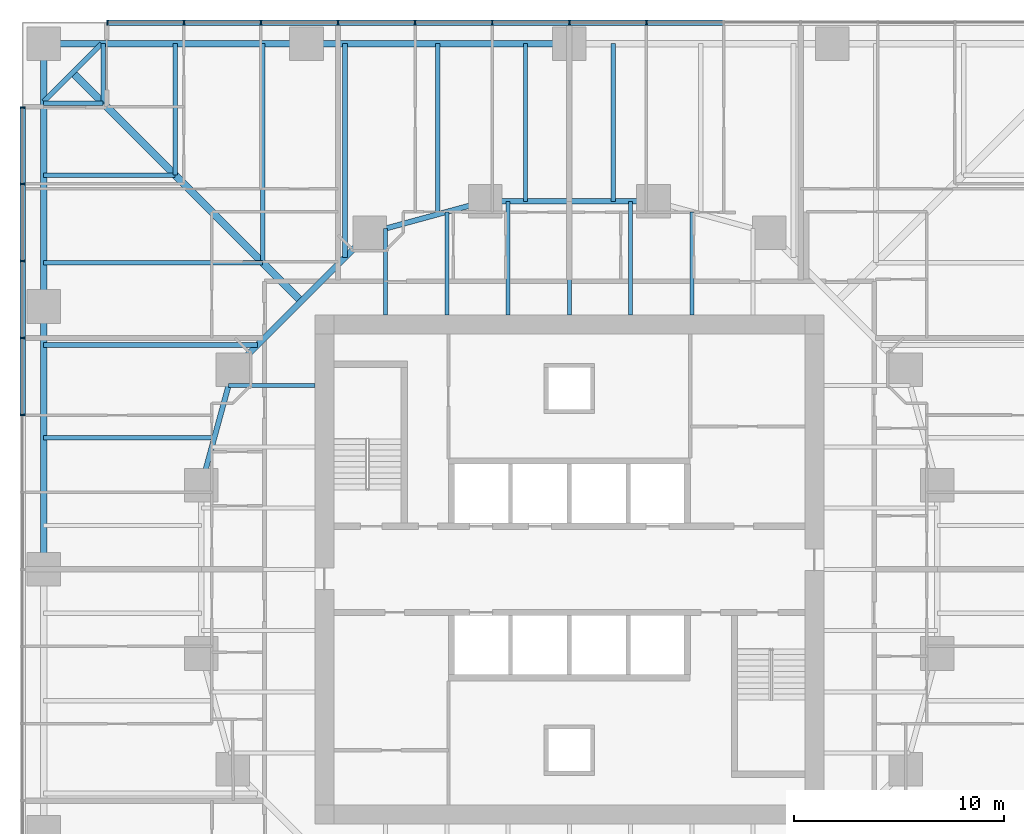
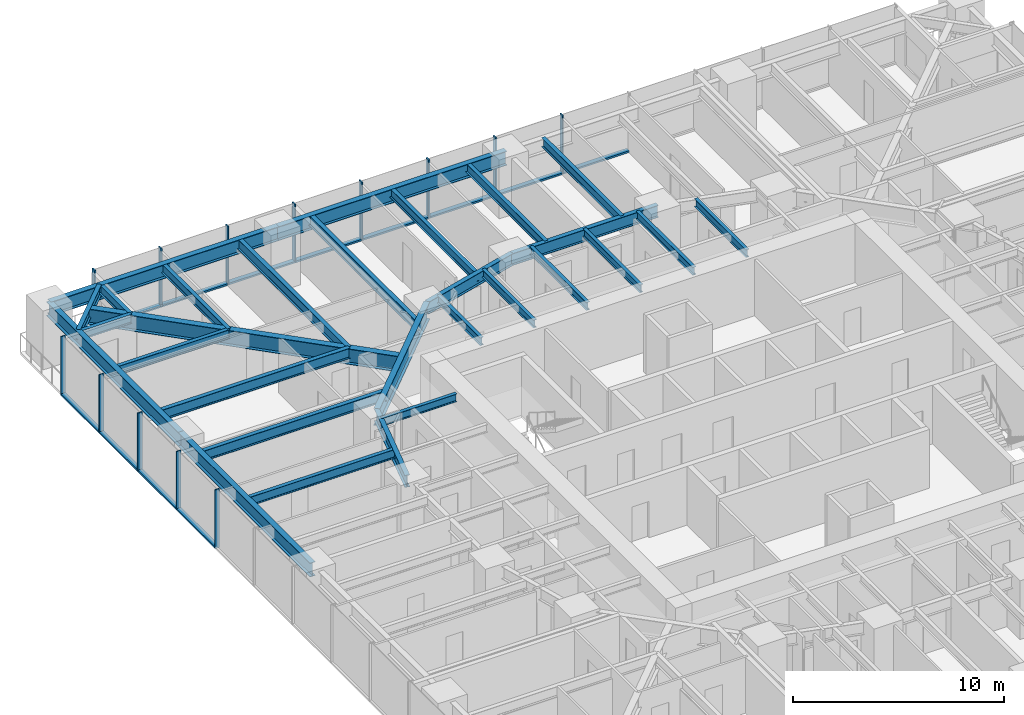
# One storey, part 5 of 17: 29 beams, 25 members, 2 elements without a shape of their own.
"""IFC4 building model written with IfcOpenShell, lengths in metres."""

import ifcopenshell
import ifcopenshell.guid

model = None  # the IFC model being written
_history = None  # IfcOwnerHistory: only IFC2X3 demands one
_inside = {}  # id of a spatial element -> (the spatial element, [elements in it])
_under = {}  # id of a project, library or spatial element -> (it, [spatial elements below it])
_declared = {}  # id of a project -> (the project, [libraries it declares])
_typed = {}  # id of a type object -> (the type object, [elements of that type])
_made_of = {}  # id of a material, layer set ... -> (it, [elements and type objects made of it])


def new_model(schema):
    """Start an empty IFC model of exactly this schema.

    Asked for "IFC4X3", IfcOpenShell would pick the latest addendum, in which some entities
    have other attributes; the version numbers below select the first issue.
    IFC2X3 requires an IfcOwnerHistory on every rooted entity: one is made here for all.
    """
    global model, _history
    if schema == "IFC4X3":
        model = ifcopenshell.file(schema_version=(4, 3, 0, 0))
    else:
        model = ifcopenshell.file(schema=schema)
    _inside.clear()
    _under.clear()
    _declared.clear()
    _typed.clear()
    _made_of.clear()
    _history = None
    if model.schema == "IFC2X3":
        org = make("IfcOrganization", Name="unknown")
        user = make(
            "IfcPersonAndOrganization",
            ThePerson=make("IfcPerson", FamilyName="unknown"),
            TheOrganization=org,
        )
        app = make(
            "IfcApplication",
            ApplicationDeveloper=org,
            Version="unknown",
            ApplicationFullName="unknown",
            ApplicationIdentifier="unknown",
        )
        _history = make(
            "IfcOwnerHistory",
            OwningUser=user,
            OwningApplication=app,
            ChangeAction="ADDED",
            CreationDate=0,
        )
    return model


def make(cls, **values):
    """One entity of the class cls with the attributes given. An attribute that is None is left unset."""
    return model.create_entity(
        cls, **{name: value for name, value in values.items() if value is not None}
    )


def rooted(cls, **values):
    """An entity with a GlobalId (a new one), such as an element, a storey or a relation."""
    return make(cls, GlobalId=ifcopenshell.guid.new(), OwnerHistory=_history, **values)


def si_unit(unit_type, name, prefix=None):
    """IfcSIUnit, for example si_unit("LENGTHUNIT", "METRE", prefix="MILLI")."""
    return make("IfcSIUnit", UnitType=unit_type, Prefix=prefix, Name=name)


def assignment(units):
    """IfcUnitAssignment: the units of a project."""
    return None if units is None else make("IfcUnitAssignment", Units=units)


def point(xyz):
    """IfcCartesianPoint."""
    return None if xyz is None else make("IfcCartesianPoint", Coordinates=xyz)


def direction(xyz):
    """IfcDirection."""
    return None if xyz is None else make("IfcDirection", DirectionRatios=xyz)


def frame(location, z_axis=None, x_axis=None):
    """IfcAxis2Placement3D, a coordinate frame: its origin and axes. An axis left out is left unset."""
    return make(
        "IfcAxis2Placement3D",
        Location=point(location),
        Axis=direction(z_axis),
        RefDirection=direction(x_axis),
    )


def frame_2d(location, x_axis=None):
    """IfcAxis2Placement2D, a coordinate frame in the plane: its origin and x axis."""
    return make(
        "IfcAxis2Placement2D", Location=point(location), RefDirection=direction(x_axis)
    )


def origin():
    """The frame at (0, 0, 0) with its axes left unset."""
    return frame((0.0, 0.0, 0.0))


def origin_2d():
    """The frame at (0, 0) in the plane with its x axis left unset."""
    return frame_2d((0.0, 0.0))


def place(relative_to, where):
    """IfcLocalPlacement: puts the frame where relative to a parent placement (None: the world)."""
    return make(
        "IfcLocalPlacement", PlacementRelTo=relative_to, RelativePlacement=where
    )


def context(
    kind, dimensions, precision=None, world=None, true_north=None, identifier=None
):
    """IfcGeometricRepresentationContext, for example the 3D "Model" context."""
    return make(
        "IfcGeometricRepresentationContext",
        ContextIdentifier=identifier,
        ContextType=kind,
        CoordinateSpaceDimension=dimensions,
        Precision=precision,
        WorldCoordinateSystem=world,
        TrueNorth=true_north,
    )


def subcontext(parent, identifier, kind, view, scale=None):
    """IfcGeometricRepresentationSubContext, for example "Body" below "Model"."""
    return make(
        "IfcGeometricRepresentationSubContext",
        ContextIdentifier=identifier,
        ContextType=kind,
        ParentContext=parent,
        TargetScale=scale,
        TargetView=view,
    )


def project(units=None, contexts=None):
    """IfcProject with its units and contexts."""
    return rooted(
        "IfcProject",
        Name="project",
        RepresentationContexts=contexts,
        UnitsInContext=assignment(units),
    )


def spatial(cls, under=None, at=None, **own):
    """A site, building, storey or space (cls), placed at a placement, below another one or the project."""
    s = rooted(cls, ObjectPlacement=at, **own)
    if under is not None:
        _under.setdefault(under.id(), (under, []))[1].append(s)
    return s


def profile(cls, at=None, kind="AREA", **sizes):
    """A parametric profile (cls). Its sizes go by their IFC names, for example OverallWidth=200.0."""
    return make(cls, ProfileType=kind, Position=at, **sizes)


def rectangle(**sizes):
    """IfcRectangleProfileDef."""
    return profile("IfcRectangleProfileDef", **sizes)


def i_section(**sizes):
    """IfcIShapeProfileDef."""
    return profile("IfcIShapeProfileDef", **sizes)


def extrude(swept, where, along, depth):
    """IfcExtrudedAreaSolid: the profile swept, set in the frame where, extruded along a direction by depth."""
    return make(
        "IfcExtrudedAreaSolid",
        SweptArea=swept,
        Position=where,
        ExtrudedDirection=direction(along),
        Depth=depth,
    )


def shape(context_of_items, identifier, shape_type, items):
    """IfcShapeRepresentation: the items that make up one representation, for example the "Body"."""
    return make(
        "IfcShapeRepresentation",
        ContextOfItems=context_of_items,
        RepresentationIdentifier=identifier,
        RepresentationType=shape_type,
        Items=items,
    )


def material(Name=None, Category=None):
    """IfcMaterial."""
    return make("IfcMaterial", Name=Name, Category=Category)


def material_profile(
    of_material, cross_section, Name=None, Category=None, Priority=None
):
    """IfcMaterialProfile: a cross section and its material."""
    return make(
        "IfcMaterialProfile",
        Name=Name,
        Material=of_material,
        Profile=cross_section,
        Priority=Priority,
        Category=Category,
    )


def profile_set(profiles, Name=None, composite=None):
    """IfcMaterialProfileSet."""
    return make(
        "IfcMaterialProfileSet",
        Name=Name,
        MaterialProfiles=profiles,
        CompositeProfile=composite,
    )


def made_of(thing, what):
    """Note that an element or type object is made of a material, layer set ...; save() writes the relation."""
    if what is not None:
        _made_of.setdefault(what.id(), (what, []))[1].append(thing)
    return thing


def type_object(cls, material=None, **own):
    """A type object (cls), such as IfcWallType, which elements share."""
    return made_of(rooted(cls, **own), material)


def element(
    cls,
    number,
    at=None,
    inside=None,
    cuts=None,
    type_object=None,
    material=None,
    context=None,
    identifier="Body",
    shape_type=None,
    held_by="IfcProductDefinitionShape",
    body=None,
    shapes=None,
    **own,
):
    """One element of the class cls, such as IfcWall. Its Tag is "e" and its number.

    at: its placement. inside: the storey or other place that contains it. cuts: it is an
    opening in that element (IfcRelVoidsElement). A single representation is given by context,
    identifier, shape_type and body (its items); several are given by shapes. held_by: the class
    of the entity that holds the representations. save() writes the other relations.
    """
    e = rooted(cls, Tag="e%d" % number, ObjectPlacement=at, **own)
    if body is not None:
        shapes = [shape(context, identifier, shape_type, body)]
    if shapes is not None:
        e.Representation = make(held_by, Representations=shapes)
    if inside is not None:
        _inside.setdefault(inside.id(), (inside, []))[1].append(e)
    if cuts is not None:
        rooted(
            "IfcRelVoidsElement", RelatingBuildingElement=cuts, RelatedOpeningElement=e
        )
    if type_object is not None:
        _typed.setdefault(type_object.id(), (type_object, []))[1].append(e)
    return made_of(e, material)


def aggregate(whole, parts):
    """IfcRelAggregates: a whole, such as a stair, and the parts it consists of."""
    return rooted("IfcRelAggregates", RelatingObject=whole, RelatedObjects=parts)


def save(model, path):
    """Write the relations noted so far, then the file.

    IfcRelAggregates (storeys below a building ...), IfcRelContainedInSpatialStructure (elements
    in a storey), IfcRelDefinesByType, IfcRelAssociatesMaterial and IfcRelDeclares: one each for
    every whole, place, type object, material and project.
    """
    for whole, parts in _under.values():
        aggregate(whole, parts)
    for where, things in _inside.values():
        rooted(
            "IfcRelContainedInSpatialStructure",
            RelatedElements=things,
            RelatingStructure=where,
        )
    for kind, things in _typed.values():
        rooted("IfcRelDefinesByType", RelatedObjects=things, RelatingType=kind)
    for what, things in _made_of.values():
        rooted("IfcRelAssociatesMaterial", RelatedObjects=things, RelatingMaterial=what)
    for by, libraries in _declared.values():
        rooted("IfcRelDeclares", RelatingContext=by, RelatedDefinitions=libraries)
    model.write(path)


model = new_model("IFC4")

# Units and contexts
model_context = context("Model", 3, precision=1e-05, world=origin(), true_north=direction((0.0, 1.0)))
body_context = subcontext(model_context, "Body", "Model", "MODEL_VIEW")
ifc_project = project(units=[si_unit("LENGTHUNIT", "METRE"), si_unit("AREAUNIT", "SQUARE_METRE"), si_unit("VOLUMEUNIT", "CUBIC_METRE"), si_unit("PLANEANGLEUNIT", "RADIAN"), si_unit("MASSUNIT", "GRAM", prefix="KILO")], contexts=[model_context])

# Site, building, storey
site_placement = place(None, origin())
site = spatial("IfcSite", under=ifc_project, at=site_placement, CompositionType="ELEMENT")
building_placement = place(site_placement, origin())
building = spatial("IfcBuilding", under=site, at=building_placement, Name="Torsade Residences", CompositionType="ELEMENT")
storey_placement = place(building_placement, frame((0.0, 0.0, 21.800048828125)))
storey = spatial("IfcBuildingStorey", under=building, at=storey_placement, Name="L05", CompositionType="ELEMENT", Elevation=21.800048828125)

# Beams
ifc_material_1 = material(Name="Steel grade 300", Category="steel")
ifc_material_profile_1 = material_profile(ifc_material_1, i_section(OverallWidth=0.35009765625, OverallDepth=0.909912109375, WebThickness=0.011962890625, FlangeThickness=0.02490234375, at=origin_2d()), Name="900WB218")
ifc_profile_set_1 = profile_set([ifc_material_profile_1], Name="Steel grade 300")
beam_type_1 = type_object("IfcBeamType", Name="CORNER GIRDER 900WB218", PredefinedType="BEAM", material=ifc_profile_set_1)
beam_1_placement = place(storey_placement, frame((16.375, 53.625, 2.794921875), z_axis=(0.707106781187, -0.707106781187, 0.0), x_axis=(0.707106781187, 0.707106781187, 0.0)))
element("IfcBeam", 1, at=beam_1_placement, inside=storey, type_object=beam_type_1, Name="Corner girder 13 L06", PredefinedType="BEAM", context=body_context, shape_type="SweptSolid", body=[
    extrude(i_section(OverallWidth=0.35009765625, OverallDepth=0.909912109375, WebThickness=0.011962890625, FlangeThickness=0.02490234375, at=origin_2d()), origin(), (0.0, 0.0, 1.0), 15.379638671875),
])
ifc_material_2 = material(Name="Steel grade 300", Category="steel")
ifc_material_profile_2 = material_profile(ifc_material_2, i_section(OverallWidth=0.22802734375, OverallDepth=0.60205078125, WebThickness=0.010498046875, FlangeThickness=0.014892578125, FilletRadius=0.013916015625, at=origin_2d()), Name="610UB101")
ifc_profile_set_2 = profile_set([ifc_material_profile_2], Name="Steel grade 300")
beam_type_2 = type_object("IfcBeamType", Name="CORNER TRIMMER 610UB101", PredefinedType="BEAM", material=ifc_profile_set_2)
beam_2_placement = place(storey_placement, frame((15.0, 52.25, 2.948974609375), z_axis=(0.707106781187, 0.707106781187, 0.0), x_axis=(-0.707106781187, 0.707106781187, 0.0)))
element("IfcBeam", 2, at=beam_2_placement, inside=storey, type_object=beam_type_2, Name="Corner trimmer 13 L06", PredefinedType="BEAM", context=body_context, shape_type="SweptSolid", body=[
    extrude(i_section(OverallWidth=0.22802734375, OverallDepth=0.60205078125, WebThickness=0.010498046875, FlangeThickness=0.014892578125, FilletRadius=0.013916015625, at=origin_2d()), origin(), (0.0, 0.0, 1.0), 3.88916015625),
])

# Curtain wall, members
ifc_material_3 = material(Name="Aluminium and glass", Category="aluminium")
curtain_wall_type = type_object("IfcCurtainWallType", Name="FRITTED GLASS CURTAIN WALL LOW ZONE", PredefinedType="NOTDEFINED", material=ifc_material_3)
curtain_wall_1_placement = place(storey_placement, origin())
curtain_wall_1 = element("IfcCurtainWall", 3, at=curtain_wall_1_placement, inside=storey, type_object=curtain_wall_type, Name="Curtain wall L05 face 7", PredefinedType="NOTDEFINED")
ifc_material_4 = material(Name="Aluminium mullion", Category="aluminium")
ifc_material_profile_3 = material_profile(ifc_material_4, rectangle(XDim=0.25, YDim=0.06494140625, at=origin_2d()), Name="CURTAIN WALL MULLION 250x65")
ifc_profile_set_3 = profile_set([ifc_material_profile_3], Name="Aluminium mullion")
member_type_1 = type_object("IfcMemberType", Name="CURTAIN WALL MULLION 250x65", PredefinedType="MULLION", material=ifc_profile_set_3)
member_1_placement = place(storey_placement, frame((43.666748046875, 56.0, 0.0), z_axis=(0.0, 0.0, 1.0), x_axis=(0.0, -1.0, 0.0)))
member_1 = element("IfcMember", 4, at=member_1_placement, type_object=member_type_1, Name="Mullion 6", PredefinedType="MULLION", context=body_context, shape_type="SweptSolid", body=[
    extrude(rectangle(XDim=0.25, YDim=0.06494140625, at=origin_2d()), origin(), (0.0, 0.0, 1.0), 3.39990234375),
])
member_2_placement = place(storey_placement, frame((40.0, 56.0, 0.0), z_axis=(0.0, 0.0, 1.0), x_axis=(0.0, -1.0, 0.0)))
member_2 = element("IfcMember", 5, at=member_2_placement, type_object=member_type_1, Name="Mullion 7", PredefinedType="MULLION", context=body_context, shape_type="SweptSolid", body=[
    extrude(rectangle(XDim=0.25, YDim=0.06494140625, at=origin_2d()), origin(), (0.0, 0.0, 1.0), 3.39990234375),
])
member_3_placement = place(storey_placement, frame((36.333251953125, 56.0, 0.0), z_axis=(0.0, 0.0, 1.0), x_axis=(0.0, -1.0, 0.0)))
member_3 = element("IfcMember", 6, at=member_3_placement, type_object=member_type_1, Name="Mullion 8", PredefinedType="MULLION", context=body_context, shape_type="SweptSolid", body=[
    extrude(rectangle(XDim=0.25, YDim=0.06494140625, at=origin_2d()), origin(), (0.0, 0.0, 1.0), 3.39990234375),
])
member_4_placement = place(storey_placement, frame((32.666748046875, 56.0, 0.0), z_axis=(0.0, 0.0, 1.0), x_axis=(0.0, -1.0, 0.0)))
member_4 = element("IfcMember", 7, at=member_4_placement, type_object=member_type_1, Name="Mullion 9", PredefinedType="MULLION", context=body_context, shape_type="SweptSolid", body=[
    extrude(rectangle(XDim=0.25, YDim=0.06494140625, at=origin_2d()), origin(), (0.0, 0.0, 1.0), 3.39990234375),
])
member_5_placement = place(storey_placement, frame((29.0, 56.0, 0.0), z_axis=(0.0, 0.0, 1.0), x_axis=(0.0, -1.0, 0.0)))
member_5 = element("IfcMember", 8, at=member_5_placement, type_object=member_type_1, Name="Mullion 10", PredefinedType="MULLION", context=body_context, shape_type="SweptSolid", body=[
    extrude(rectangle(XDim=0.25, YDim=0.06494140625, at=origin_2d()), origin(), (0.0, 0.0, 1.0), 3.39990234375),
])
member_6_placement = place(storey_placement, frame((25.333251953125, 56.0, 0.0), z_axis=(0.0, 0.0, 1.0), x_axis=(0.0, -1.0, 0.0)))
member_6 = element("IfcMember", 9, at=member_6_placement, type_object=member_type_1, Name="Mullion 11", PredefinedType="MULLION", context=body_context, shape_type="SweptSolid", body=[
    extrude(rectangle(XDim=0.25, YDim=0.06494140625, at=origin_2d()), origin(), (0.0, 0.0, 1.0), 3.39990234375),
])
member_7_placement = place(storey_placement, frame((21.666748046875, 56.0, 0.0), z_axis=(0.0, 0.0, 1.0), x_axis=(0.0, -1.0, 0.0)))
member_7 = element("IfcMember", 10, at=member_7_placement, type_object=member_type_1, Name="Mullion 12", PredefinedType="MULLION", context=body_context, shape_type="SweptSolid", body=[
    extrude(rectangle(XDim=0.25, YDim=0.06494140625, at=origin_2d()), origin(), (0.0, 0.0, 1.0), 3.39990234375),
])
member_8_placement = place(storey_placement, frame((18.032470703125, 56.0, 0.0), z_axis=(0.0, 0.0, 1.0), x_axis=(0.0, -1.0, 0.0)))
member_8 = element("IfcMember", 11, at=member_8_placement, type_object=member_type_1, Name="Mullion 13", PredefinedType="MULLION", context=body_context, shape_type="SweptSolid", body=[
    extrude(rectangle(XDim=0.25, YDim=0.06494140625, at=origin_2d()), origin(), (0.0, 0.0, 1.0), 3.39990234375),
])

curtain_wall_2_placement = place(storey_placement, origin())
curtain_wall_2 = element("IfcCurtainWall", 12, at=curtain_wall_2_placement, inside=storey, type_object=curtain_wall_type, Name="Curtain wall L05 face 10", PredefinedType="NOTDEFINED")
member_9_placement = place(storey_placement, frame((14.0, 51.967529296875, 0.0), z_axis=(0.0, 0.0, 1.0), x_axis=(1.0, 0.0, 0.0)))
member_9 = element("IfcMember", 13, at=member_9_placement, type_object=member_type_1, Name="Mullion 1", PredefinedType="MULLION", context=body_context, shape_type="SweptSolid", body=[
    extrude(rectangle(XDim=0.25, YDim=0.06494140625, at=origin_2d()), origin(), (0.0, 0.0, 1.0), 3.39990234375),
])
member_10_placement = place(storey_placement, frame((14.0, 48.333251953125, 0.0), z_axis=(0.0, 0.0, 1.0), x_axis=(1.0, 0.0, 0.0)))
member_10 = element("IfcMember", 14, at=member_10_placement, type_object=member_type_1, Name="Mullion 2", PredefinedType="MULLION", context=body_context, shape_type="SweptSolid", body=[
    extrude(rectangle(XDim=0.25, YDim=0.06494140625, at=origin_2d()), origin(), (0.0, 0.0, 1.0), 3.39990234375),
])
member_11_placement = place(storey_placement, frame((14.0, 44.666748046875, 0.0), z_axis=(0.0, 0.0, 1.0), x_axis=(1.0, 0.0, 0.0)))
member_11 = element("IfcMember", 15, at=member_11_placement, type_object=member_type_1, Name="Mullion 3", PredefinedType="MULLION", context=body_context, shape_type="SweptSolid", body=[
    extrude(rectangle(XDim=0.25, YDim=0.06494140625, at=origin_2d()), origin(), (0.0, 0.0, 1.0), 3.39990234375),
])
member_12_placement = place(storey_placement, frame((14.0, 41.0, 0.0), z_axis=(0.0, 0.0, 1.0), x_axis=(1.0, 0.0, 0.0)))
member_12 = element("IfcMember", 16, at=member_12_placement, type_object=member_type_1, Name="Mullion 4", PredefinedType="MULLION", context=body_context, shape_type="SweptSolid", body=[
    extrude(rectangle(XDim=0.25, YDim=0.06494140625, at=origin_2d()), origin(), (0.0, 0.0, 1.0), 3.39990234375),
])
member_13_placement = place(storey_placement, frame((14.0, 37.333251953125, 0.0), z_axis=(0.0, 0.0, 1.0), x_axis=(1.0, 0.0, 0.0)))
member_13 = element("IfcMember", 17, at=member_13_placement, type_object=member_type_1, Name="Mullion 5", PredefinedType="MULLION", context=body_context, shape_type="SweptSolid", body=[
    extrude(rectangle(XDim=0.25, YDim=0.06494140625, at=origin_2d()), origin(), (0.0, 0.0, 1.0), 3.39990234375),
])

# Member
ifc_material_5 = material(Name="Aluminium transom", Category="aluminium")
ifc_material_profile_4 = material_profile(ifc_material_5, rectangle(XDim=0.25, YDim=0.10009765625, at=origin_2d()), Name="CURTAIN WALL TRANSOM 250x100")
ifc_profile_set_4 = profile_set([ifc_material_profile_4], Name="Aluminium transom")
member_type_2 = type_object("IfcMemberType", Name="CURTAIN WALL TRANSOM 250x100", PredefinedType="USERDEFINED", material=ifc_profile_set_4)
member_14_placement = place(storey_placement, frame((47.30078125, 56.0, 0.050048828125), z_axis=(-1.0, 0.0, 0.0), x_axis=(0.0, -1.0, 0.0)))
member_14 = element("IfcMember", 18, at=member_14_placement, type_object=member_type_2, Name="Transom 5.1", ObjectType="TRANSOM", PredefinedType="USERDEFINED", context=body_context, shape_type="SweptSolid", body=[
    extrude(rectangle(XDim=0.25, YDim=0.10009765625, at=origin_2d()), origin(), (0.0, 0.0, 1.0), 3.6015625),
])

member_15_placement = place(storey_placement, frame((43.63427734375, 56.0, 0.050048828125), z_axis=(-1.0, 0.0, 0.0), x_axis=(0.0, -1.0, 0.0)))
member_15 = element("IfcMember", 19, at=member_15_placement, type_object=member_type_2, Name="Transom 6.1", ObjectType="TRANSOM", PredefinedType="USERDEFINED", context=body_context, shape_type="SweptSolid", body=[
    extrude(rectangle(XDim=0.25, YDim=0.10009765625, at=origin_2d()), origin(), (0.0, 0.0, 1.0), 3.601806640625),
])

member_16_placement = place(storey_placement, frame((39.967529296875, 56.0, 0.050048828125), z_axis=(-1.0, 0.0, 0.0), x_axis=(0.0, -1.0, 0.0)))
member_16 = element("IfcMember", 20, at=member_16_placement, type_object=member_type_2, Name="Transom 7.1", ObjectType="TRANSOM", PredefinedType="USERDEFINED", context=body_context, shape_type="SweptSolid", body=[
    extrude(rectangle(XDim=0.25, YDim=0.10009765625, at=origin_2d()), origin(), (0.0, 0.0, 1.0), 3.601806640625),
])

member_17_placement = place(storey_placement, frame((36.30078125, 56.0, 0.050048828125), z_axis=(-1.0, 0.0, 0.0), x_axis=(0.0, -1.0, 0.0)))
member_17 = element("IfcMember", 21, at=member_17_placement, type_object=member_type_2, Name="Transom 8.1", ObjectType="TRANSOM", PredefinedType="USERDEFINED", context=body_context, shape_type="SweptSolid", body=[
    extrude(rectangle(XDim=0.25, YDim=0.10009765625, at=origin_2d()), origin(), (0.0, 0.0, 1.0), 3.6015625),
])

member_18_placement = place(storey_placement, frame((32.63427734375, 56.0, 0.050048828125), z_axis=(-1.0, 0.0, 0.0), x_axis=(0.0, -1.0, 0.0)))
member_18 = element("IfcMember", 22, at=member_18_placement, type_object=member_type_2, Name="Transom 9.1", ObjectType="TRANSOM", PredefinedType="USERDEFINED", context=body_context, shape_type="SweptSolid", body=[
    extrude(rectangle(XDim=0.25, YDim=0.10009765625, at=origin_2d()), origin(), (0.0, 0.0, 1.0), 3.601806640625),
])

member_19_placement = place(storey_placement, frame((28.967529296875, 56.0, 0.050048828125), z_axis=(-1.0, 0.0, 0.0), x_axis=(0.0, -1.0, 0.0)))
member_19 = element("IfcMember", 23, at=member_19_placement, type_object=member_type_2, Name="Transom 10.1", ObjectType="TRANSOM", PredefinedType="USERDEFINED", context=body_context, shape_type="SweptSolid", body=[
    extrude(rectangle(XDim=0.25, YDim=0.10009765625, at=origin_2d()), origin(), (0.0, 0.0, 1.0), 3.601806640625),
])

member_20_placement = place(storey_placement, frame((25.30078125, 56.0, 0.050048828125), z_axis=(-1.0, 0.0, 0.0), x_axis=(0.0, -1.0, 0.0)))
member_20 = element("IfcMember", 24, at=member_20_placement, type_object=member_type_2, Name="Transom 11.1", ObjectType="TRANSOM", PredefinedType="USERDEFINED", context=body_context, shape_type="SweptSolid", body=[
    extrude(rectangle(XDim=0.25, YDim=0.10009765625, at=origin_2d()), origin(), (0.0, 0.0, 1.0), 3.6015625),
])

member_21_placement = place(storey_placement, frame((21.63427734375, 56.0, 0.050048828125), z_axis=(-1.0, 0.0, 0.0), x_axis=(0.0, -1.0, 0.0)))
member_21 = element("IfcMember", 25, at=member_21_placement, type_object=member_type_2, Name="Transom 12.1", ObjectType="TRANSOM", PredefinedType="USERDEFINED", context=body_context, shape_type="SweptSolid", body=[
    extrude(rectangle(XDim=0.25, YDim=0.10009765625, at=origin_2d()), origin(), (0.0, 0.0, 1.0), 3.5693359375),
])

aggregate(curtain_wall_1, [member_1, member_2, member_3, member_4, member_5, member_6, member_7, member_8, member_14, member_15, member_16, member_17, member_18, member_19, member_20, member_21])

member_22_placement = place(storey_placement, frame((14.0, 51.93505859375, 0.050048828125), z_axis=(0.0, -1.0, 0.0), x_axis=(1.0, 0.0, 0.0)))
member_22 = element("IfcMember", 26, at=member_22_placement, type_object=member_type_2, Name="Transom 1.1", ObjectType="TRANSOM", PredefinedType="USERDEFINED", context=body_context, shape_type="SweptSolid", body=[
    extrude(rectangle(XDim=0.25, YDim=0.10009765625, at=origin_2d()), origin(), (0.0, 0.0, 1.0), 3.5693359375),
])

member_23_placement = place(storey_placement, frame((14.0, 48.30078125, 0.050048828125), z_axis=(0.0, -1.0, 0.0), x_axis=(1.0, 0.0, 0.0)))
member_23 = element("IfcMember", 27, at=member_23_placement, type_object=member_type_2, Name="Transom 2.1", ObjectType="TRANSOM", PredefinedType="USERDEFINED", context=body_context, shape_type="SweptSolid", body=[
    extrude(rectangle(XDim=0.25, YDim=0.10009765625, at=origin_2d()), origin(), (0.0, 0.0, 1.0), 3.6015625),
])

member_24_placement = place(storey_placement, frame((14.0, 44.63427734375, 0.050048828125), z_axis=(0.0, -1.0, 0.0), x_axis=(1.0, 0.0, 0.0)))
member_24 = element("IfcMember", 28, at=member_24_placement, type_object=member_type_2, Name="Transom 3.1", ObjectType="TRANSOM", PredefinedType="USERDEFINED", context=body_context, shape_type="SweptSolid", body=[
    extrude(rectangle(XDim=0.25, YDim=0.10009765625, at=origin_2d()), origin(), (0.0, 0.0, 1.0), 3.601806640625),
])

member_25_placement = place(storey_placement, frame((14.0, 40.967529296875, 0.050048828125), z_axis=(0.0, -1.0, 0.0), x_axis=(1.0, 0.0, 0.0)))
member_25 = element("IfcMember", 29, at=member_25_placement, type_object=member_type_2, Name="Transom 4.1", ObjectType="TRANSOM", PredefinedType="USERDEFINED", context=body_context, shape_type="SweptSolid", body=[
    extrude(rectangle(XDim=0.25, YDim=0.10009765625, at=origin_2d()), origin(), (0.0, 0.0, 1.0), 3.601806640625),
])

aggregate(curtain_wall_2, [member_9, member_10, member_11, member_12, member_13, member_22, member_23, member_24, member_25])

# Beams
ifc_material_6 = material(Name="Steel grade 300", Category="steel")
ifc_material_profile_5 = material_profile(ifc_material_6, i_section(OverallWidth=0.300048828125, OverallDepth=0.81591796875, WebThickness=0.010009765625, FlangeThickness=0.028076171875, at=origin_2d()), Name="800WB192")
ifc_profile_set_5 = profile_set([ifc_material_profile_5], Name="Steel grade 300")
beam_type_3 = type_object("IfcBeamType", Name="EDGE BEAM 800WB192", PredefinedType="SPANDREL", material=ifc_profile_set_5)
for number, where, z_axis, x_axis, name in (
    (30, (40.0, 55.0, 2.842041015625), (-1.0, 0.0, 0.0), (0.0, -1.0, 0.0), "Edge beam 11 L06"),
    (31, (27.5, 55.0, 2.842041015625), (-1.0, 0.0, 0.0), (0.0, -1.0, 0.0), "Edge beam 12 L06"),
    (32, (15.0, 55.0, 2.842041015625), (0.0, -1.0, 0.0), (1.0, 0.0, 0.0), "Edge beam 13 L06"),
    (33, (15.0, 42.5, 2.842041015625), (0.0, -1.0, 0.0), (1.0, 0.0, 0.0), "Edge beam 14 L06"),
):
    element("IfcBeam", number, at=place(storey_placement, frame(where, z_axis=z_axis, x_axis=x_axis)), inside=storey, type_object=beam_type_3, Name=name, PredefinedType="SPANDREL", context=body_context, shape_type="SweptSolid", body=[
        extrude(i_section(OverallWidth=0.300048828125, OverallDepth=0.81591796875, WebThickness=0.010009765625, FlangeThickness=0.028076171875, at=origin_2d()), origin(), (0.0, 0.0, 1.0), 12.5),
    ])
ifc_material_7 = material(Name="Steel grade 300", Category="steel")
ifc_material_profile_6 = material_profile(ifc_material_7, i_section(OverallWidth=0.18994140625, OverallDepth=0.4541015625, WebThickness=0.008544921875, FlangeThickness=0.0126953125, FilletRadius=0.011474609375, at=origin_2d()), Name="460UB67.1")
ifc_profile_set_6 = profile_set([ifc_material_profile_6], Name="Steel grade 300")
beam_type_4 = type_object("IfcBeamType", Name="INNER FLOOR BEAM 460UB67.1", PredefinedType="JOIST", material=ifc_profile_set_6)
beam_3_placement = place(storey_placement, frame((31.262451171875, 42.10009765625, 3.02294921875), z_axis=(0.0, 1.0, 0.0), x_axis=(-1.0, 0.0, 0.0)))
element("IfcBeam", 34, at=beam_3_placement, inside=storey, type_object=beam_type_4, Name="Inner floor beam IN01 L06", PredefinedType="JOIST", context=body_context, shape_type="SweptSolid", body=[
    extrude(i_section(OverallWidth=0.18994140625, OverallDepth=0.4541015625, WebThickness=0.008544921875, FlangeThickness=0.0126953125, FilletRadius=0.011474609375, at=origin_2d()), origin(), (0.0, 0.0, 1.0), 4.10791015625),
])
beam_4_placement = place(storey_placement, frame((34.175048828125, 42.10009765625, 3.02294921875), z_axis=(0.0, 1.0, 0.0), x_axis=(-1.0, 0.0, 0.0)))
element("IfcBeam", 35, at=beam_4_placement, inside=storey, type_object=beam_type_4, Name="Inner floor beam IN02 L06", PredefinedType="JOIST", context=body_context, shape_type="SweptSolid", body=[
    extrude(i_section(OverallWidth=0.18994140625, OverallDepth=0.4541015625, WebThickness=0.008544921875, FlangeThickness=0.0126953125, FilletRadius=0.011474609375, at=origin_2d()), origin(), (0.0, 0.0, 1.0), 4.902099609375),
])
for number, where, z_axis, x_axis, name in (
    (36, (37.08740234375, 42.10009765625, 3.02294921875), (0.0, 1.0, 0.0), (-1.0, 0.0, 0.0), "Inner floor beam IN03 L06"),
    (37, (40.0, 42.10009765625, 3.02294921875), (0.0, 1.0, 0.0), (-1.0, 0.0, 0.0), "Inner floor beam IN04 L06"),
    (38, (42.91259765625, 42.10009765625, 3.02294921875), (0.0, 1.0, 0.0), (-1.0, 0.0, 0.0), "Inner floor beam IN05 L06"),
):
    element("IfcBeam", number, at=place(storey_placement, frame(where, z_axis=z_axis, x_axis=x_axis)), inside=storey, type_object=beam_type_4, Name=name, PredefinedType="JOIST", context=body_context, shape_type="SweptSolid", body=[
        extrude(i_section(OverallWidth=0.18994140625, OverallDepth=0.4541015625, WebThickness=0.008544921875, FlangeThickness=0.0126953125, FilletRadius=0.011474609375, at=origin_2d()), origin(), (0.0, 0.0, 1.0), 5.39990234375),
    ])
beam_5_placement = place(storey_placement, frame((45.824951171875, 42.10009765625, 3.02294921875), z_axis=(0.0, 1.0, 0.0), x_axis=(-1.0, 0.0, 0.0)))
element("IfcBeam", 39, at=beam_5_placement, inside=storey, type_object=beam_type_4, Name="Inner floor beam IN06 L06", PredefinedType="JOIST", context=body_context, shape_type="SweptSolid", body=[
    extrude(i_section(OverallWidth=0.18994140625, OverallDepth=0.4541015625, WebThickness=0.008544921875, FlangeThickness=0.0126953125, FilletRadius=0.011474609375, at=origin_2d()), origin(), (0.0, 0.0, 1.0), 4.902099609375),
])
beam_6_placement = place(storey_placement, frame((27.89990234375, 38.737548828125, 3.02294921875), z_axis=(-1.0, 0.0, 0.0), x_axis=(0.0, -1.0, 0.0)))
element("IfcBeam", 40, at=beam_6_placement, inside=storey, type_object=beam_type_4, Name="Inner floor beam IW01 L06", PredefinedType="JOIST", context=body_context, shape_type="SweptSolid", body=[
    extrude(i_section(OverallWidth=0.18994140625, OverallDepth=0.4541015625, WebThickness=0.008544921875, FlangeThickness=0.0126953125, FilletRadius=0.011474609375, at=origin_2d()), origin(), (0.0, 0.0, 1.0), 4.10791015625),
])
ifc_material_8 = material(Name="Steel grade 300", Category="steel")
ifc_material_profile_7 = material_profile(ifc_material_8, i_section(OverallWidth=0.300048828125, OverallDepth=1.0, WebThickness=0.01611328125, FlangeThickness=0.028076171875, at=origin_2d()), Name="1000WB215")
ifc_profile_set_7 = profile_set([ifc_material_profile_7], Name="Steel grade 300")
beam_type_5 = type_object("IfcBeamType", Name="RING CORNER GIRDER 1000WB215", PredefinedType="BEAM", material=ifc_profile_set_7)
beam_7_placement = place(storey_placement, frame((30.5, 46.0, 2.75), z_axis=(-0.707106781187, -0.707106781187, 0.0), x_axis=(0.707106781187, -0.707106781187, 0.0)))
element("IfcBeam", 41, at=beam_7_placement, inside=storey, type_object=beam_type_5, Name="Ring girder IR07 L06", PredefinedType="BEAM", context=body_context, shape_type="SweptSolid", body=[
    extrude(i_section(OverallWidth=0.300048828125, OverallDepth=1.0, WebThickness=0.01611328125, FlangeThickness=0.028076171875, at=origin_2d()), origin(), (0.0, 0.0, 1.0), 9.1923828125),
])
ifc_material_9 = material(Name="Steel grade 300", Category="steel")
ifc_material_profile_8 = material_profile(ifc_material_9, i_section(OverallWidth=0.25, OverallDepth=0.699951171875, WebThickness=0.010009765625, FlangeThickness=0.02001953125, at=origin_2d()), Name="700WB130")
ifc_profile_set_8 = profile_set([ifc_material_profile_8], Name="Steel grade 300")
beam_type_6 = type_object("IfcBeamType", Name="RING GIRDER 700WB130", PredefinedType="BEAM", material=ifc_profile_set_8)
beam_8_placement = place(storey_placement, frame((44.0, 47.5, 2.89990234375), z_axis=(-1.0, 0.0, 0.0), x_axis=(0.0, -1.0, 0.0)))
element("IfcBeam", 42, at=beam_8_placement, inside=storey, type_object=beam_type_6, Name="Ring girder IR05 L06", PredefinedType="BEAM", context=body_context, shape_type="SweptSolid", body=[
    extrude(i_section(OverallWidth=0.25, OverallDepth=0.699951171875, WebThickness=0.010009765625, FlangeThickness=0.02001953125, at=origin_2d()), origin(), (0.0, 0.0, 1.0), 8.0),
])
for number, where, z_axis, x_axis, name in (
    (43, (36.0, 47.5, 2.89990234375), (-0.964763821238, -0.263117405792, 0.0), (0.263117405792, -0.964763821238, 0.0), "Ring girder IR06 L06"),
    (44, (24.0, 39.5, 2.89990234375), (-0.263117405792, -0.964763821238, 0.0), (0.964763821238, -0.263117405792, 0.0), "Ring girder IR08 L06"),
):
    element("IfcBeam", number, at=place(storey_placement, frame(where, z_axis=z_axis, x_axis=x_axis)), inside=storey, type_object=beam_type_6, Name=name, PredefinedType="BEAM", context=body_context, shape_type="SweptSolid", body=[
        extrude(i_section(OverallWidth=0.25, OverallDepth=0.699951171875, WebThickness=0.010009765625, FlangeThickness=0.02001953125, at=origin_2d()), origin(), (0.0, 0.0, 1.0), 5.700927734375),
    ])
ifc_material_10 = material(Name="Steel grade 300", Category="steel")
ifc_material_profile_9 = material_profile(ifc_material_10, i_section(OverallWidth=0.208984375, OverallDepth=0.528076171875, WebThickness=0.009521484375, FlangeThickness=0.01318359375, FilletRadius=0.013916015625, at=origin_2d()), Name="530UB82.0")
ifc_profile_set_9 = profile_set([ifc_material_profile_9], Name="Steel grade 300")
beam_type_7 = type_object("IfcBeamType", Name="SECONDARY BEAM 530UB82.0", PredefinedType="JOIST", material=ifc_profile_set_9)
for number, where, z_axis, x_axis, name in (
    (45, (42.083251953125, 55.0, 2.98583984375), (0.0, -1.0, 0.0), (1.0, 0.0, 0.0), "Floor beam FN06 L06"),
    (46, (37.916748046875, 55.0, 2.98583984375), (0.0, -1.0, 0.0), (1.0, 0.0, 0.0), "Floor beam FN07 L06"),
):
    element("IfcBeam", number, at=place(storey_placement, frame(where, z_axis=z_axis, x_axis=x_axis)), inside=storey, type_object=beam_type_7, Name=name, PredefinedType="JOIST", context=body_context, shape_type="SweptSolid", body=[
        extrude(i_section(OverallWidth=0.208984375, OverallDepth=0.528076171875, WebThickness=0.009521484375, FlangeThickness=0.01318359375, FilletRadius=0.013916015625, at=origin_2d()), origin(), (0.0, 0.0, 1.0), 7.5),
    ])
beam_9_placement = place(storey_placement, frame((33.75, 55.0, 2.98583984375), z_axis=(0.0, -1.0, 0.0), x_axis=(1.0, 0.0, 0.0)))
element("IfcBeam", 47, at=beam_9_placement, inside=storey, type_object=beam_type_7, Name="Floor beam FN08 L06", PredefinedType="JOIST", context=body_context, shape_type="SweptSolid", body=[
    extrude(i_section(OverallWidth=0.208984375, OverallDepth=0.528076171875, WebThickness=0.009521484375, FlangeThickness=0.01318359375, FilletRadius=0.013916015625, at=origin_2d()), origin(), (0.0, 0.0, 1.0), 8.113525390625),
])
beam_10_placement = place(storey_placement, frame((21.25, 55.0, 2.98583984375), z_axis=(0.0, -1.0, 0.0), x_axis=(1.0, 0.0, 0.0)))
element("IfcBeam", 48, at=beam_10_placement, inside=storey, type_object=beam_type_7, Name="Floor beam FN11 L06", PredefinedType="JOIST", context=body_context, shape_type="SweptSolid", body=[
    extrude(i_section(OverallWidth=0.208984375, OverallDepth=0.528076171875, WebThickness=0.009521484375, FlangeThickness=0.01318359375, FilletRadius=0.013916015625, at=origin_2d()), origin(), (0.0, 0.0, 1.0), 6.25),
])
for number, where, z_axis, x_axis, name in (
    (49, (17.833251953125, 55.0, 2.98583984375), (0.0, -1.0, 0.0), (1.0, 0.0, 0.0), "Floor beam FN12 L06"),
    (50, (15.0, 52.166748046875, 2.98583984375), (1.0, 0.0, 0.0), (0.0, 1.0, 0.0), "Floor beam FW01 L06"),
):
    element("IfcBeam", number, at=place(storey_placement, frame(where, z_axis=z_axis, x_axis=x_axis)), inside=storey, type_object=beam_type_7, Name=name, PredefinedType="JOIST", context=body_context, shape_type="SweptSolid", body=[
        extrude(i_section(OverallWidth=0.208984375, OverallDepth=0.528076171875, WebThickness=0.009521484375, FlangeThickness=0.01318359375, FilletRadius=0.013916015625, at=origin_2d()), origin(), (0.0, 0.0, 1.0), 2.833251953125),
    ])
beam_11_placement = place(storey_placement, frame((15.0, 48.75, 2.98583984375), z_axis=(1.0, 0.0, 0.0), x_axis=(0.0, 1.0, 0.0)))
element("IfcBeam", 51, at=beam_11_placement, inside=storey, type_object=beam_type_7, Name="Floor beam FW02 L06", PredefinedType="JOIST", context=body_context, shape_type="SweptSolid", body=[
    extrude(i_section(OverallWidth=0.208984375, OverallDepth=0.528076171875, WebThickness=0.009521484375, FlangeThickness=0.01318359375, FilletRadius=0.013916015625, at=origin_2d()), origin(), (0.0, 0.0, 1.0), 6.25),
])
beam_12_placement = place(storey_placement, frame((15.0, 36.25, 2.98583984375), z_axis=(1.0, 0.0, 0.0), x_axis=(0.0, 1.0, 0.0)))
element("IfcBeam", 52, at=beam_12_placement, inside=storey, type_object=beam_type_7, Name="Floor beam FW05 L06", PredefinedType="JOIST", context=body_context, shape_type="SweptSolid", body=[
    extrude(i_section(OverallWidth=0.208984375, OverallDepth=0.528076171875, WebThickness=0.009521484375, FlangeThickness=0.01318359375, FilletRadius=0.013916015625, at=origin_2d()), origin(), (0.0, 0.0, 1.0), 8.113525390625),
])
ifc_material_11 = material(Name="Steel grade 300", Category="steel")
ifc_material_profile_10 = material_profile(ifc_material_11, i_section(OverallWidth=0.22900390625, OverallDepth=0.612060546875, WebThickness=0.011962890625, FlangeThickness=0.01953125, FilletRadius=0.013916015625, at=origin_2d()), Name="610UB125")
ifc_profile_set_10 = profile_set([ifc_material_profile_10], Name="Steel grade 300")
beam_type_8 = type_object("IfcBeamType", Name="SECONDARY BEAM 610UB125", PredefinedType="JOIST", material=ifc_profile_set_10)
beam_13_placement = place(storey_placement, frame((29.333251953125, 55.0, 2.94384765625), z_axis=(0.0, -1.0, 0.0), x_axis=(1.0, 0.0, 0.0)))
element("IfcBeam", 53, at=beam_13_placement, inside=storey, type_object=beam_type_8, Name="Floor beam FN09 L06", PredefinedType="JOIST", context=body_context, shape_type="SweptSolid", body=[
    extrude(i_section(OverallWidth=0.22900390625, OverallDepth=0.612060546875, WebThickness=0.011962890625, FlangeThickness=0.01953125, FilletRadius=0.013916015625, at=origin_2d()), origin(), (0.0, 0.0, 1.0), 10.166748046875),
])
for number, where, z_axis, x_axis, name in (
    (54, (25.416748046875, 55.0, 2.94384765625), (0.0, -1.0, 0.0), (1.0, 0.0, 0.0), "Floor beam FN10 L06"),
    (55, (15.0, 44.583251953125, 2.94384765625), (1.0, 0.0, 0.0), (0.0, 1.0, 0.0), "Floor beam FW03 L06"),
):
    element("IfcBeam", number, at=place(storey_placement, frame(where, z_axis=z_axis, x_axis=x_axis)), inside=storey, type_object=beam_type_8, Name=name, PredefinedType="JOIST", context=body_context, shape_type="SweptSolid", body=[
        extrude(i_section(OverallWidth=0.22900390625, OverallDepth=0.612060546875, WebThickness=0.011962890625, FlangeThickness=0.01953125, FilletRadius=0.013916015625, at=origin_2d()), origin(), (0.0, 0.0, 1.0), 10.416748046875),
    ])
beam_14_placement = place(storey_placement, frame((15.0, 40.666748046875, 2.94384765625), z_axis=(1.0, 0.0, 0.0), x_axis=(0.0, 1.0, 0.0)))
element("IfcBeam", 56, at=beam_14_placement, inside=storey, type_object=beam_type_8, Name="Floor beam FW04 L06", PredefinedType="JOIST", context=body_context, shape_type="SweptSolid", body=[
    extrude(i_section(OverallWidth=0.22900390625, OverallDepth=0.612060546875, WebThickness=0.011962890625, FlangeThickness=0.01953125, FilletRadius=0.013916015625, at=origin_2d()), origin(), (0.0, 0.0, 1.0), 10.166748046875),
])

save(model, "model.ifc")
